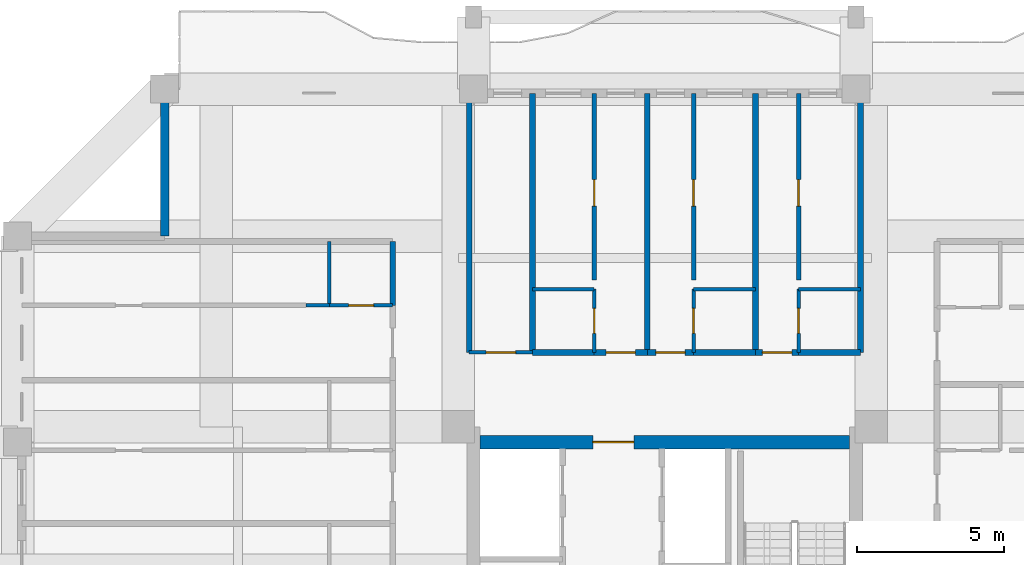
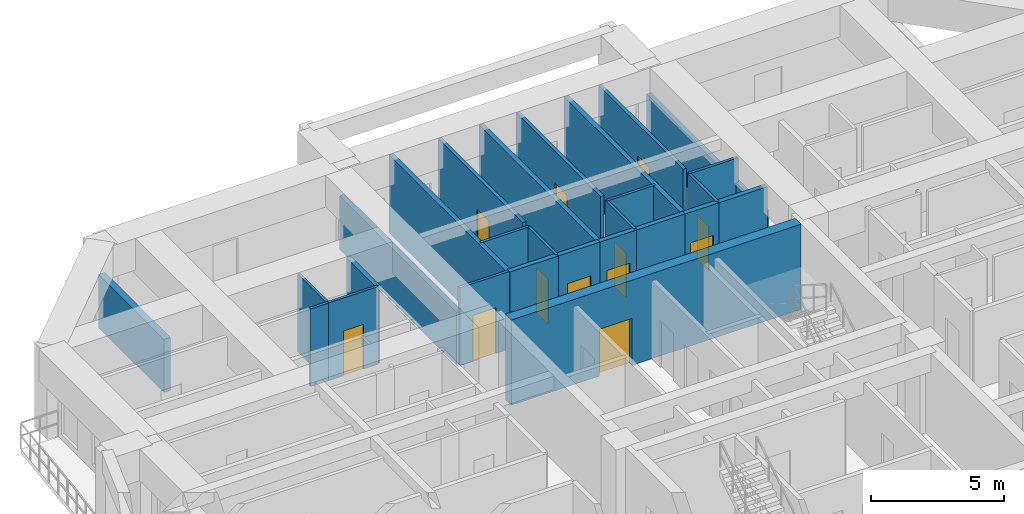
# One storey, part 7 of 15: 27 walls, 12 doors, 12 openings.
"""IFC4 building model written with IfcOpenShell, lengths in metres."""

from ifc_helpers import new_model, si_unit, direction, frame, frame_2d, origin, place, context, subcontext, project, spatial, rectangle, extrude, source, transform, mapped, material, layer, layer_set, type_object, element, fill, save


model = new_model("IFC4")

# Units and contexts
model_context = context("Model", 3, precision=1e-05, world=origin(), true_north=direction((0.0, 1.0)))
body_context = subcontext(model_context, "Body", "Model", "MODEL_VIEW")
ifc_project = project(units=[si_unit("LENGTHUNIT", "METRE"), si_unit("AREAUNIT", "SQUARE_METRE"), si_unit("VOLUMEUNIT", "CUBIC_METRE"), si_unit("PLANEANGLEUNIT", "RADIAN"), si_unit("MASSUNIT", "GRAM", prefix="KILO")], contexts=[model_context])

# Site, building, storey
site_placement = place(None, origin())
site = spatial("IfcSite", under=ifc_project, at=site_placement, CompositionType="ELEMENT")
building_placement = place(site_placement, origin())
building = spatial("IfcBuilding", under=site, at=building_placement, Name="Saelheon Loggia Tower", CompositionType="ELEMENT")
storey_placement = place(building_placement, frame((0.0, 0.0, 169.0)))
storey = spatial("IfcBuildingStorey", under=building, at=storey_placement, Name="L53", CompositionType="ELEMENT", Elevation=169.0)

# Wall, opening, door
ifc_material_1 = material(Name="Concrete C45/55", Category="concrete")
ifc_layer_1 = layer(ifc_material_1, 0.449951171875)
ifc_layer_set_1 = layer_set([ifc_layer_1], Name="Concrete C45/55")
wall_type_1 = type_object("IfcWallType", Name="Wall_CoreShear_450", PredefinedType="SHEAR", material=ifc_layer_set_1)
wall_1_placement = place(storey_placement, frame((31.72509765625, 36.0, 0.0), z_axis=(0.0, 0.0, 1.0), x_axis=(1.0, 0.0, 0.0)))
wall_1 = element("IfcWall", 1, at=wall_1_placement, inside=storey, type_object=wall_type_1, Name="L53 Core Shear Wall North", PredefinedType="SHEAR", context=body_context, shape_type="SweptSolid", body=[
    extrude(rectangle(XDim=12.5498046875, YDim=0.449951171875, at=frame_2d((6.27490234375, 0.0))), origin(), (0.0, 0.0, 1.0), 3.89990234375),
])
opening_1_placement = place(wall_1_placement, frame((5.224853515625, 0.0, 0.0), z_axis=(0.0, 0.0, 1.0), x_axis=(-1.0, 0.0, 0.0)))
opening_1 = element("IfcOpeningElement", 2, at=opening_1_placement, cuts=wall_1, Name="Opening D-FD2L", PredefinedType="OPENING", context=body_context, shape_type="SweptSolid", body=[
    extrude(rectangle(XDim=1.39990234375, YDim=2.14990234375, at=frame_2d((0.699951171875, 1.074951171875))), frame((0.0, 0.237060546875, 0.0), z_axis=(0.0, -1.0, 0.0), x_axis=(1.0, 0.0, 0.0)), (0.0, 0.0, 1.0), 0.473876953125),
])
ifc_material_2 = material(Name="Galvanised Steel Glazed Lobby Fire Door", Category="steel")
door_type_1 = type_object("IfcDoorType", Name="Door_Fire_FD60_1400", OperationType="NOTDEFINED", PredefinedType="DOOR", material=ifc_material_2)
shared_shape_1 = source(origin(), body_context, "Body", "SweptSolid", [
    extrude(rectangle(XDim=1.39990234375, YDim=2.14990234375, at=frame_2d((0.699951171875, 1.074951171875))), frame((0.0, 0.02490234375, 0.0), z_axis=(0.0, -1.0, 0.0), x_axis=(1.0, 0.0, 0.0)), (0.0, 0.0, 1.0), 0.050048828125),
])
door_1_placement = place(opening_1_placement, origin())
door_1 = element("IfcDoor", 3, at=door_1_placement, inside=storey, type_object=door_type_1, Name="L53 Passenger Lift Lobby Main Door", OperationType="SINGLE_SWING_RIGHT", OverallHeight=2.14990234375, OverallWidth=1.39990234375, PredefinedType="DOOR", context=body_context, shape_type="MappedRepresentation", body=[
    mapped(shared_shape_1, transform((0.0, 0.0, 0.0), scale=1.0)),
])
fill(opening_1, door_1)

# Wall
ifc_material_3 = material(Name="Architectural Precast Concrete C40/50", Category="concrete")
ifc_layer_2 = layer(ifc_material_3, 0.280029296875)
ifc_layer_set_2 = layer_set([ifc_layer_2], Name="Architectural Precast Concrete C40/50")
wall_type_2 = type_object("IfcWallType", Name="Wall_Ext_Loggia_280", PredefinedType="SOLIDWALL", material=ifc_layer_set_2)
wall_2_placement = place(storey_placement, frame((21.0, 43.0, 0.0), z_axis=(0.0, 0.0, 1.0), x_axis=(0.0, 1.0, 0.0)))
element("IfcWall", 4, at=wall_2_placement, inside=storey, type_object=wall_type_2, Name="L53 Corner Notch Precast Wall NW1", PredefinedType="SOLIDWALL", context=body_context, shape_type="SweptSolid", body=[
    extrude(rectangle(XDim=4.919921875, YDim=0.280029296875, at=frame_2d((2.4599609375, 0.0))), origin(), (0.0, 0.0, 1.0), 2.43994140625),
])

# Wall, opening, door
ifc_material_4 = material(Name="Lightweight Autoclaved Aerated Concrete Block and Acoustic Gypsum", Category="concrete")
ifc_layer_3 = layer(ifc_material_4, 0.14990234375)
ifc_layer_set_3 = layer_set([ifc_layer_3], Name="Lightweight Autoclaved Aerated Concrete Block and Acoustic Gypsum")
wall_type_3 = type_object("IfcWallType", Name="Wall_Part_150", PredefinedType="PARTITIONING", material=ifc_layer_set_3)
wall_3_placement = place(storey_placement, frame((35.60009765625, 41.510009765625, 0.0), z_axis=(0.0, 0.0, 1.0), x_axis=(0.0, 1.0, 0.0)))
wall_3 = element("IfcWall", 5, at=wall_3_placement, inside=storey, type_object=wall_type_3, Name="L53 N Partition U09", PredefinedType="PARTITIONING", context=body_context, shape_type="SweptSolid", body=[
    extrude(rectangle(XDim=6.340087890625, YDim=0.14990234375, at=frame_2d((3.169921875, 0.0))), origin(), (0.0, 0.0, 1.0), 3.56005859375),
])
opening_2_placement = place(wall_3_placement, frame((2.51318359375, 0.0, 0.0)))
opening_2 = element("IfcOpeningElement", 6, at=opening_2_placement, cuts=wall_3, Name="Opening D-IN2", PredefinedType="OPENING", context=body_context, shape_type="SweptSolid", body=[
    extrude(rectangle(XDim=0.89990234375, YDim=2.10009765625, at=frame_2d((0.449951171875, 1.050048828125))), frame((0.0, 0.0869140625, 0.0), z_axis=(0.0, -1.0, 0.0), x_axis=(1.0, 0.0, 0.0)), (0.0, 0.0, 1.0), 0.173828125),
])
ifc_material_5 = material(Name="Engineered Oak Flush Door", Category="timber")
door_type_2 = type_object("IfcDoorType", Name="Door_Int_900", OperationType="NOTDEFINED", PredefinedType="DOOR", material=ifc_material_5)
shared_shape_2 = source(origin(), body_context, "Body", "SweptSolid", [
    extrude(rectangle(XDim=0.89990234375, YDim=2.10009765625, at=frame_2d((0.449951171875, 1.050048828125))), frame((0.0, 0.02490234375, 0.0), z_axis=(0.0, -1.0, 0.0), x_axis=(1.0, 0.0, 0.0)), (0.0, 0.0, 1.0), 0.050048828125),
])
door_2_placement = place(opening_2_placement, origin())
door_2 = element("IfcDoor", 7, at=door_2_placement, inside=storey, type_object=door_type_2, Name="Unit U04 Kitchen Door", OperationType="SINGLE_SWING_RIGHT", OverallHeight=2.10009765625, OverallWidth=0.89990234375, PredefinedType="DOOR", context=body_context, shape_type="MappedRepresentation", body=[
    mapped(shared_shape_2, transform((0.0, 0.0, 0.0), scale=1.0)),
])
fill(opening_2, door_2)

wall_4_placement = place(storey_placement, frame((38.98193359375, 41.510009765625, 0.0), z_axis=(0.0, 0.0, 1.0), x_axis=(0.0, 1.0, 0.0)))
wall_4 = element("IfcWall", 8, at=wall_4_placement, inside=storey, type_object=wall_type_3, Name="L53 N Partition U15", PredefinedType="PARTITIONING", context=body_context, shape_type="SweptSolid", body=[
    extrude(rectangle(XDim=6.340087890625, YDim=0.14990234375, at=frame_2d((3.169921875, 0.0))), origin(), (0.0, 0.0, 1.0), 3.56005859375),
])
opening_3_placement = place(wall_4_placement, frame((2.51318359375, 0.0, 0.0)))
opening_3 = element("IfcOpeningElement", 9, at=opening_3_placement, cuts=wall_4, Name="Opening D-IN2", PredefinedType="OPENING", context=body_context, shape_type="SweptSolid", body=[
    extrude(rectangle(XDim=0.89990234375, YDim=2.10009765625, at=frame_2d((0.449951171875, 1.050048828125))), frame((0.0, 0.0869140625, 0.0), z_axis=(0.0, -1.0, 0.0), x_axis=(1.0, 0.0, 0.0)), (0.0, 0.0, 1.0), 0.173828125),
])
door_3_placement = place(opening_3_placement, origin())
door_3 = element("IfcDoor", 10, at=door_3_placement, inside=storey, type_object=door_type_2, Name="Unit U05 Kitchen Door", OperationType="SINGLE_SWING_LEFT", OverallHeight=2.10009765625, OverallWidth=0.89990234375, PredefinedType="DOOR", context=body_context, shape_type="MappedRepresentation", body=[
    mapped(shared_shape_2, transform((0.0, 0.0, 0.0), scale=1.0)),
])
fill(opening_3, door_3)

wall_5_placement = place(storey_placement, frame((42.550048828125, 41.510009765625, 0.0), z_axis=(0.0, 0.0, 1.0), x_axis=(0.0, 1.0, 0.0)))
wall_5 = element("IfcWall", 11, at=wall_5_placement, inside=storey, type_object=wall_type_3, Name="L53 N Partition U21", PredefinedType="PARTITIONING", context=body_context, shape_type="SweptSolid", body=[
    extrude(rectangle(XDim=6.340087890625, YDim=0.14990234375, at=frame_2d((3.169921875, 0.0))), origin(), (0.0, 0.0, 1.0), 3.56005859375),
])
opening_4_placement = place(wall_5_placement, frame((2.51318359375, 0.0, 0.0)))
opening_4 = element("IfcOpeningElement", 12, at=opening_4_placement, cuts=wall_5, Name="Opening D-IN2", PredefinedType="OPENING", context=body_context, shape_type="SweptSolid", body=[
    extrude(rectangle(XDim=0.89990234375, YDim=2.10009765625, at=frame_2d((0.449951171875, 1.050048828125))), frame((0.0, 0.0869140625, 0.0), z_axis=(0.0, -1.0, 0.0), x_axis=(1.0, 0.0, 0.0)), (0.0, 0.0, 1.0), 0.173828125),
])
door_4_placement = place(opening_4_placement, origin())
door_4 = element("IfcDoor", 13, at=door_4_placement, inside=storey, type_object=door_type_2, Name="Unit U06 Kitchen Door", OperationType="SINGLE_SWING_RIGHT", OverallHeight=2.10009765625, OverallWidth=0.89990234375, PredefinedType="DOOR", context=body_context, shape_type="MappedRepresentation", body=[
    mapped(shared_shape_2, transform((0.0, 0.0, 0.0), scale=1.0)),
])
fill(opening_4, door_4)

# Walls
ifc_material_6 = material(Name="Double Acoustic Stud and Fireboard Partition", Category="gypsum")
ifc_layer_4 = layer(ifc_material_6, 0.199951171875)
ifc_layer_set_4 = layer_set([ifc_layer_4], Name="Double Acoustic Stud and Fireboard Partition")
wall_type_4 = type_object("IfcWallType", Name="Wall_Party_200", PredefinedType="PARTITIONING", material=ifc_layer_set_4)
for number, where, z_axis, x_axis, name in (
    (14, (31.35009765625, 39.050048828125, 0.0), (0.0, 0.0, 1.0), (0.0, 1.0, 0.0), "L53 N Partition U01"),
    (15, (44.64990234375, 39.050048828125, 0.0), (0.0, 0.0, 1.0), (0.0, 1.0, 0.0), "L53 N Partition U02"),
):
    element("IfcWall", number, at=place(storey_placement, frame(where, z_axis=z_axis, x_axis=x_axis)), inside=storey, type_object=wall_type_4, Name=name, PredefinedType="PARTITIONING", context=body_context, shape_type="SweptSolid", body=[
        extrude(rectangle(XDim=8.800048828125, YDim=0.199951171875, at=frame_2d((4.39990234375, 0.0))), origin(), (0.0, 0.0, 1.0), 2.43994140625),
    ])
wall_6_placement = place(storey_placement, frame((33.5, 39.050048828125, 0.0), z_axis=(0.0, 0.0, 1.0), x_axis=(0.0, 1.0, 0.0)))
element("IfcWall", 16, at=wall_6_placement, inside=storey, type_object=wall_type_4, Name="L53 N Partition U03", PredefinedType="PARTITIONING", context=body_context, shape_type="SweptSolid", body=[
    extrude(rectangle(XDim=8.800048828125, YDim=0.199951171875, at=frame_2d((4.39990234375, 0.0))), origin(), (0.0, 0.0, 1.0), 3.56005859375),
])
wall_7_placement = place(storey_placement, frame((33.5, 39.050048828125, 0.0), z_axis=(0.0, 0.0, 1.0), x_axis=(1.0, 0.0, 0.0)))
element("IfcWall", 17, at=wall_7_placement, inside=storey, type_object=wall_type_4, Name="L53 N Partition V05", PredefinedType="PARTITIONING", context=body_context, shape_type="SweptSolid", body=[
    extrude(rectangle(XDim=2.10009765625, YDim=0.199951171875, at=frame_2d((1.050048828125, 0.0))), origin(), (0.0, 0.0, 1.0), 3.56005859375),
])

# Wall, opening, door
wall_8_placement = place(storey_placement, frame((35.60009765625, 39.050048828125, 0.0), z_axis=(0.0, 0.0, 1.0), x_axis=(1.0, 0.0, 0.0)))
wall_8 = element("IfcWall", 18, at=wall_8_placement, inside=storey, type_object=wall_type_4, Name="L53 N Partition V06", PredefinedType="PARTITIONING", context=body_context, shape_type="SweptSolid", body=[
    extrude(rectangle(XDim=1.802490234375, YDim=0.199951171875, at=frame_2d((0.9013671875, 0.0))), origin(), (0.0, 0.0, 1.0), 3.56005859375),
])
opening_5_placement = place(wall_8_placement, frame((0.4013671875, 0.0, 0.0)))
opening_5 = element("IfcOpeningElement", 19, at=opening_5_placement, cuts=wall_8, Name="Opening D-FD1", PredefinedType="OPENING", context=body_context, shape_type="SweptSolid", body=[
    extrude(rectangle(XDim=1.0, YDim=2.14990234375, at=frame_2d((0.5, 1.074951171875))), frame((0.0, 0.112060546875, 0.0), z_axis=(0.0, -1.0, 0.0), x_axis=(1.0, 0.0, 0.0)), (0.0, 0.0, 1.0), 0.223876953125),
])
ifc_material_7 = material(Name="Fire-Rated Engineered Timber Entrance Door", Category="wood")
door_type_3 = type_object("IfcDoorType", Name="Door_Flat_FD30S", OperationType="NOTDEFINED", PredefinedType="DOOR", material=ifc_material_7)
shared_shape_3 = source(origin(), body_context, "Body", "SweptSolid", [
    extrude(rectangle(XDim=1.0, YDim=2.14990234375, at=frame_2d((0.5, 1.074951171875))), frame((0.0, 0.02490234375, 0.0), z_axis=(0.0, -1.0, 0.0), x_axis=(1.0, 0.0, 0.0)), (0.0, 0.0, 1.0), 0.050048828125),
])
door_5_placement = place(opening_5_placement, origin())
door_5 = element("IfcDoor", 20, at=door_5_placement, inside=storey, type_object=door_type_3, Name="Unit U04 Entrance Door", OperationType="SINGLE_SWING_RIGHT", OverallHeight=2.14990234375, OverallWidth=1.0, PredefinedType="DOOR", context=body_context, shape_type="MappedRepresentation", body=[
    mapped(shared_shape_3, transform((0.0, 0.0, 0.0), scale=1.0)),
])
fill(opening_5, door_5)

# Wall
wall_9_placement = place(storey_placement, frame((37.402587890625, 39.050048828125, 0.0), z_axis=(0.0, 0.0, 1.0), x_axis=(0.0, 1.0, 0.0)))
element("IfcWall", 21, at=wall_9_placement, inside=storey, type_object=wall_type_4, Name="L53 N Partition U10", PredefinedType="PARTITIONING", context=body_context, shape_type="SweptSolid", body=[
    extrude(rectangle(XDim=8.800048828125, YDim=0.199951171875, at=frame_2d((4.39990234375, 0.0))), origin(), (0.0, 0.0, 1.0), 3.56005859375),
])

# Wall, opening, door
wall_10_placement = place(storey_placement, frame((37.402587890625, 39.050048828125, 0.0), z_axis=(0.0, 0.0, 1.0), x_axis=(1.0, 0.0, 0.0)))
wall_10 = element("IfcWall", 22, at=wall_10_placement, inside=storey, type_object=wall_type_4, Name="L53 N Partition V11", PredefinedType="PARTITIONING", context=body_context, shape_type="SweptSolid", body=[
    extrude(rectangle(XDim=1.579345703125, YDim=0.199951171875, at=frame_2d((0.78955078125, 0.0))), origin(), (0.0, 0.0, 1.0), 3.56005859375),
])
opening_6_placement = place(wall_10_placement, frame((0.289794921875, 0.0, 0.0)))
opening_6 = element("IfcOpeningElement", 23, at=opening_6_placement, cuts=wall_10, Name="Opening D-FD1", PredefinedType="OPENING", context=body_context, shape_type="SweptSolid", body=[
    extrude(rectangle(XDim=1.0, YDim=2.14990234375, at=frame_2d((0.5, 1.074951171875))), frame((0.0, 0.112060546875, 0.0), z_axis=(0.0, -1.0, 0.0), x_axis=(1.0, 0.0, 0.0)), (0.0, 0.0, 1.0), 0.223876953125),
])
door_6_placement = place(opening_6_placement, origin())
door_6 = element("IfcDoor", 24, at=door_6_placement, inside=storey, type_object=door_type_3, Name="Unit U05 Entrance Door", OperationType="SINGLE_SWING_LEFT", OverallHeight=2.14990234375, OverallWidth=1.0, PredefinedType="DOOR", context=body_context, shape_type="MappedRepresentation", body=[
    mapped(shared_shape_3, transform((0.0, 0.0, 0.0), scale=1.0)),
])
fill(opening_6, door_6)

# Walls
wall_11_placement = place(storey_placement, frame((38.98193359375, 39.050048828125, 0.0), z_axis=(0.0, 0.0, 1.0), x_axis=(1.0, 0.0, 0.0)))
element("IfcWall", 25, at=wall_11_placement, inside=storey, type_object=wall_type_4, Name="L53 N Partition V12", PredefinedType="PARTITIONING", context=body_context, shape_type="SweptSolid", body=[
    extrude(rectangle(XDim=2.10009765625, YDim=0.199951171875, at=frame_2d((1.050048828125, 0.0))), origin(), (0.0, 0.0, 1.0), 3.56005859375),
])
wall_12_placement = place(storey_placement, frame((41.08203125, 39.050048828125, 0.0), z_axis=(0.0, 0.0, 1.0), x_axis=(0.0, 1.0, 0.0)))
element("IfcWall", 26, at=wall_12_placement, inside=storey, type_object=wall_type_4, Name="L53 N Partition U16", PredefinedType="PARTITIONING", context=body_context, shape_type="SweptSolid", body=[
    extrude(rectangle(XDim=8.800048828125, YDim=0.199951171875, at=frame_2d((4.39990234375, 0.0))), origin(), (0.0, 0.0, 1.0), 3.56005859375),
])

# Wall, opening, door
wall_13_placement = place(storey_placement, frame((41.08203125, 39.050048828125, 0.0), z_axis=(0.0, 0.0, 1.0), x_axis=(1.0, 0.0, 0.0)))
wall_13 = element("IfcWall", 27, at=wall_13_placement, inside=storey, type_object=wall_type_4, Name="L53 N Partition V17", PredefinedType="PARTITIONING", context=body_context, shape_type="SweptSolid", body=[
    extrude(rectangle(XDim=1.468017578125, YDim=0.199951171875, at=frame_2d((0.73388671875, 0.0))), origin(), (0.0, 0.0, 1.0), 3.56005859375),
])
opening_7_placement = place(wall_13_placement, frame((0.23388671875, 0.0, 0.0)))
opening_7 = element("IfcOpeningElement", 28, at=opening_7_placement, cuts=wall_13, Name="Opening D-FD1", PredefinedType="OPENING", context=body_context, shape_type="SweptSolid", body=[
    extrude(rectangle(XDim=1.0, YDim=2.14990234375, at=frame_2d((0.5, 1.074951171875))), frame((0.0, 0.112060546875, 0.0), z_axis=(0.0, -1.0, 0.0), x_axis=(1.0, 0.0, 0.0)), (0.0, 0.0, 1.0), 0.223876953125),
])
door_7_placement = place(opening_7_placement, origin())
door_7 = element("IfcDoor", 29, at=door_7_placement, inside=storey, type_object=door_type_3, Name="Unit U06 Entrance Door", OperationType="SINGLE_SWING_RIGHT", OverallHeight=2.14990234375, OverallWidth=1.0, PredefinedType="DOOR", context=body_context, shape_type="MappedRepresentation", body=[
    mapped(shared_shape_3, transform((0.0, 0.0, 0.0), scale=1.0)),
])
fill(opening_7, door_7)

# Walls
wall_14_placement = place(storey_placement, frame((42.550048828125, 39.050048828125, 0.0), z_axis=(0.0, 0.0, 1.0), x_axis=(1.0, 0.0, 0.0)))
element("IfcWall", 30, at=wall_14_placement, inside=storey, type_object=wall_type_4, Name="L53 N Partition V18", PredefinedType="PARTITIONING", context=body_context, shape_type="SweptSolid", body=[
    extrude(rectangle(XDim=2.099853515625, YDim=0.199951171875, at=frame_2d((1.0498046875, 0.0))), origin(), (0.0, 0.0, 1.0), 3.56005859375),
])
wall_15_placement = place(storey_placement, frame((28.75, 40.650390625, 0.0), z_axis=(0.0, 0.0, 1.0), x_axis=(0.0, 1.0, 0.0)))
element("IfcWall", 31, at=wall_15_placement, inside=storey, type_object=wall_type_4, Name="L53 WN Partition V18", PredefinedType="PARTITIONING", context=body_context, shape_type="SweptSolid", body=[
    extrude(rectangle(XDim=2.169677734375, YDim=0.199951171875, at=frame_2d((1.0849609375, 0.0))), origin(), (0.0, 0.0, 1.0), 3.56005859375),
])

# Wall, opening, door
ifc_material_8 = material(Name="Moisture-Resistant Cement Board Partition", Category="gypsum")
ifc_layer_5 = layer(ifc_material_8, 0.1201171875)
ifc_layer_set_5 = layer_set([ifc_layer_5], Name="Moisture-Resistant Cement Board Partition")
wall_type_5 = type_object("IfcWallType", Name="Wall_WetPart_120", PredefinedType="PARTITIONING", material=ifc_layer_set_5)
wall_16_placement = place(storey_placement, frame((31.35009765625, 39.050048828125, 0.0), z_axis=(0.0, 0.0, 1.0), x_axis=(1.0, 0.0, 0.0)))
wall_16 = element("IfcWall", 32, at=wall_16_placement, inside=storey, type_object=wall_type_5, Name="L53 N Partition V04", PredefinedType="PARTITIONING", context=body_context, shape_type="SweptSolid", body=[
    extrude(rectangle(XDim=2.14990234375, YDim=0.1201171875, at=frame_2d((1.074951171875, 0.0))), origin(), (0.0, 0.0, 1.0), 3.56005859375),
])
opening_8_placement = place(wall_16_placement, frame((0.574951171875, 0.0, 0.0)))
opening_8 = element("IfcOpeningElement", 33, at=opening_8_placement, cuts=wall_16, Name="Opening D-AC1", PredefinedType="OPENING", context=body_context, shape_type="SweptSolid", body=[
    extrude(rectangle(XDim=1.0, YDim=2.10009765625, at=frame_2d((0.5, 1.050048828125))), frame((0.0, 0.072021484375, 0.0), z_axis=(0.0, -1.0, 0.0), x_axis=(1.0, 0.0, 0.0)), (0.0, 0.0, 1.0), 0.14404296875),
])
ifc_material_9 = material(Name="Accessible Laminate Flush Door", Category="timber")
door_type_4 = type_object("IfcDoorType", Name="Door_Acc_1000", OperationType="NOTDEFINED", PredefinedType="DOOR", material=ifc_material_9)
shared_shape_4 = source(origin(), body_context, "Body", "SweptSolid", [
    extrude(rectangle(XDim=1.0, YDim=2.10009765625, at=frame_2d((0.5, 1.050048828125))), frame((0.0, 0.02490234375, 0.0), z_axis=(0.0, -1.0, 0.0), x_axis=(1.0, 0.0, 0.0)), (0.0, 0.0, 1.0), 0.050048828125),
])
door_8_placement = place(opening_8_placement, origin())
door_8 = element("IfcDoor", 34, at=door_8_placement, inside=storey, type_object=door_type_4, Name="L53 Floor Accessible WC Door", OperationType="SINGLE_SWING_LEFT", OverallHeight=2.10009765625, OverallWidth=1.0, PredefinedType="DOOR", context=body_context, shape_type="MappedRepresentation", body=[
    mapped(shared_shape_4, transform((0.0, 0.0, 0.0), scale=1.0)),
])
fill(opening_8, door_8)

wall_17_placement = place(storey_placement, frame((35.60009765625, 39.050048828125, 0.0), z_axis=(0.0, 0.0, 1.0), x_axis=(0.0, 1.0, 0.0)))
wall_17 = element("IfcWall", 35, at=wall_17_placement, inside=storey, type_object=wall_type_5, Name="L53 N Partition U07", PredefinedType="PARTITIONING", context=body_context, shape_type="SweptSolid", body=[
    extrude(rectangle(XDim=2.14990234375, YDim=0.1201171875, at=frame_2d((1.074951171875, 0.0))), origin(), (0.0, 0.0, 1.0), 3.56005859375),
])
opening_9_placement = place(wall_17_placement, frame((0.64990234375, 0.0, 0.0)))
opening_9 = element("IfcOpeningElement", 36, at=opening_9_placement, cuts=wall_17, Name="Opening D-BT1", PredefinedType="OPENING", context=body_context, shape_type="SweptSolid", body=[
    extrude(rectangle(XDim=0.85009765625, YDim=2.050048828125, at=frame_2d((0.425048828125, 1.02490234375))), frame((0.0, 0.072021484375, 0.0), z_axis=(0.0, -1.0, 0.0), x_axis=(1.0, 0.0, 0.0)), (0.0, 0.0, 1.0), 0.14404296875),
])
ifc_material_10 = material(Name="Moisture-Resistant Laminate Timber Door", Category="wood")
door_type_5 = type_object("IfcDoorType", Name="Door_Bath_850", OperationType="NOTDEFINED", PredefinedType="DOOR", material=ifc_material_10)
shared_shape_5 = source(origin(), body_context, "Body", "SweptSolid", [
    extrude(rectangle(XDim=0.85009765625, YDim=2.050048828125, at=frame_2d((0.425048828125, 1.02490234375))), frame((0.0, 0.02490234375, 0.0), z_axis=(0.0, -1.0, 0.0), x_axis=(1.0, 0.0, 0.0)), (0.0, 0.0, 1.0), 0.050048828125),
])
door_9_placement = place(opening_9_placement, origin())
door_9 = element("IfcDoor", 37, at=door_9_placement, inside=storey, type_object=door_type_5, Name="Unit U04 Bathroom Door", OperationType="SINGLE_SWING_LEFT", OverallHeight=2.050048828125, OverallWidth=0.85009765625, PredefinedType="DOOR", context=body_context, shape_type="MappedRepresentation", body=[
    mapped(shared_shape_5, transform((0.0, 0.0, 0.0), scale=1.0)),
])
fill(opening_9, door_9)

# Wall
wall_18_placement = place(storey_placement, frame((33.5, 41.199951171875, 0.0), z_axis=(0.0, 0.0, 1.0), x_axis=(1.0, 0.0, 0.0)))
element("IfcWall", 38, at=wall_18_placement, inside=storey, type_object=wall_type_5, Name="L53 N Partition V08", PredefinedType="PARTITIONING", context=body_context, shape_type="SweptSolid", body=[
    extrude(rectangle(XDim=2.10009765625, YDim=0.1201171875, at=frame_2d((1.050048828125, 0.0))), origin(), (0.0, 0.0, 1.0), 3.56005859375),
])

# Wall, opening, door
wall_19_placement = place(storey_placement, frame((38.98193359375, 39.050048828125, 0.0), z_axis=(0.0, 0.0, 1.0), x_axis=(0.0, 1.0, 0.0)))
wall_19 = element("IfcWall", 39, at=wall_19_placement, inside=storey, type_object=wall_type_5, Name="L53 N Partition U13", PredefinedType="PARTITIONING", context=body_context, shape_type="SweptSolid", body=[
    extrude(rectangle(XDim=2.14990234375, YDim=0.1201171875, at=frame_2d((1.074951171875, 0.0))), origin(), (0.0, 0.0, 1.0), 3.56005859375),
])
opening_10_placement = place(wall_19_placement, frame((0.64990234375, 0.0, 0.0)))
opening_10 = element("IfcOpeningElement", 40, at=opening_10_placement, cuts=wall_19, Name="Opening D-BT1", PredefinedType="OPENING", context=body_context, shape_type="SweptSolid", body=[
    extrude(rectangle(XDim=0.85009765625, YDim=2.050048828125, at=frame_2d((0.425048828125, 1.02490234375))), frame((0.0, 0.072021484375, 0.0), z_axis=(0.0, -1.0, 0.0), x_axis=(1.0, 0.0, 0.0)), (0.0, 0.0, 1.0), 0.14404296875),
])
door_10_placement = place(opening_10_placement, origin())
door_10 = element("IfcDoor", 41, at=door_10_placement, inside=storey, type_object=door_type_5, Name="Unit U05 Bathroom Door", OperationType="SINGLE_SWING_RIGHT", OverallHeight=2.050048828125, OverallWidth=0.85009765625, PredefinedType="DOOR", context=body_context, shape_type="MappedRepresentation", body=[
    mapped(shared_shape_5, transform((0.0, 0.0, 0.0), scale=1.0)),
])
fill(opening_10, door_10)

# Wall
wall_20_placement = place(storey_placement, frame((38.98193359375, 41.199951171875, 0.0), z_axis=(0.0, 0.0, 1.0), x_axis=(1.0, 0.0, 0.0)))
element("IfcWall", 42, at=wall_20_placement, inside=storey, type_object=wall_type_5, Name="L53 N Partition V14", PredefinedType="PARTITIONING", context=body_context, shape_type="SweptSolid", body=[
    extrude(rectangle(XDim=2.10009765625, YDim=0.1201171875, at=frame_2d((1.050048828125, 0.0))), origin(), (0.0, 0.0, 1.0), 3.56005859375),
])

# Wall, opening, door
wall_21_placement = place(storey_placement, frame((42.550048828125, 39.050048828125, 0.0), z_axis=(0.0, 0.0, 1.0), x_axis=(0.0, 1.0, 0.0)))
wall_21 = element("IfcWall", 43, at=wall_21_placement, inside=storey, type_object=wall_type_5, Name="L53 N Partition U19", PredefinedType="PARTITIONING", context=body_context, shape_type="SweptSolid", body=[
    extrude(rectangle(XDim=2.14990234375, YDim=0.1201171875, at=frame_2d((1.074951171875, 0.0))), origin(), (0.0, 0.0, 1.0), 3.56005859375),
])
opening_11_placement = place(wall_21_placement, frame((0.64990234375, 0.0, 0.0)))
opening_11 = element("IfcOpeningElement", 44, at=opening_11_placement, cuts=wall_21, Name="Opening D-BT1", PredefinedType="OPENING", context=body_context, shape_type="SweptSolid", body=[
    extrude(rectangle(XDim=0.85009765625, YDim=2.050048828125, at=frame_2d((0.425048828125, 1.02490234375))), frame((0.0, 0.072021484375, 0.0), z_axis=(0.0, -1.0, 0.0), x_axis=(1.0, 0.0, 0.0)), (0.0, 0.0, 1.0), 0.14404296875),
])
door_11_placement = place(opening_11_placement, origin())
door_11 = element("IfcDoor", 45, at=door_11_placement, inside=storey, type_object=door_type_5, Name="Unit U06 Bathroom Door", OperationType="SINGLE_SWING_LEFT", OverallHeight=2.050048828125, OverallWidth=0.85009765625, PredefinedType="DOOR", context=body_context, shape_type="MappedRepresentation", body=[
    mapped(shared_shape_5, transform((0.0, 0.0, 0.0), scale=1.0)),
])
fill(opening_11, door_11)

# Wall
wall_22_placement = place(storey_placement, frame((42.550048828125, 41.199951171875, 0.0), z_axis=(0.0, 0.0, 1.0), x_axis=(1.0, 0.0, 0.0)))
element("IfcWall", 46, at=wall_22_placement, inside=storey, type_object=wall_type_5, Name="L53 N Partition V20", PredefinedType="PARTITIONING", context=body_context, shape_type="SweptSolid", body=[
    extrude(rectangle(XDim=2.099853515625, YDim=0.1201171875, at=frame_2d((1.0498046875, 0.0))), origin(), (0.0, 0.0, 1.0), 3.56005859375),
])

# Wall, opening, door
wall_23_placement = place(storey_placement, frame((28.75, 40.650390625, 0.0), z_axis=(0.0, 0.0, 1.0), x_axis=(-1.0, 0.0, 0.0)))
wall_23 = element("IfcWall", 47, at=wall_23_placement, inside=storey, type_object=wall_type_5, Name="L53 WN Partition U19", PredefinedType="PARTITIONING", context=body_context, shape_type="SweptSolid", body=[
    extrude(rectangle(XDim=2.14990234375, YDim=0.1201171875, at=frame_2d((1.074951171875, 0.0))), origin(), (0.0, 0.0, 1.0), 3.56005859375),
])
opening_12_placement = place(wall_23_placement, frame((0.64990234375, 0.0, 0.0)))
opening_12 = element("IfcOpeningElement", 48, at=opening_12_placement, cuts=wall_23, Name="Opening D-BT1", PredefinedType="OPENING", context=body_context, shape_type="SweptSolid", body=[
    extrude(rectangle(XDim=0.85009765625, YDim=2.050048828125, at=frame_2d((0.425048828125, 1.02490234375))), frame((0.0, 0.072021484375, 0.0), z_axis=(0.0, -1.0, 0.0), x_axis=(1.0, 0.0, 0.0)), (0.0, 0.0, 1.0), 0.14404296875),
])
door_12_placement = place(opening_12_placement, origin())
door_12 = element("IfcDoor", 49, at=door_12_placement, inside=storey, type_object=door_type_5, Name="Unit U12 Bathroom Door", OperationType="SINGLE_SWING_LEFT", OverallHeight=2.050048828125, OverallWidth=0.85009765625, PredefinedType="DOOR", context=body_context, shape_type="MappedRepresentation", body=[
    mapped(shared_shape_5, transform((0.0, 0.0, 0.0), scale=1.0)),
])
fill(opening_12, door_12)

# Walls
wall_24_placement = place(storey_placement, frame((26.60009765625, 40.650390625, 0.0), z_axis=(0.0, 0.0, 1.0), x_axis=(-1.0, 0.0, 0.0)))
element("IfcWall", 50, at=wall_24_placement, inside=storey, type_object=wall_type_5, Name="L53 WN Partition U20", PredefinedType="PARTITIONING", context=body_context, shape_type="SweptSolid", body=[
    extrude(rectangle(XDim=0.7900390625, YDim=0.1201171875, at=frame_2d((0.39501953125, 0.0))), origin(), (0.0, 0.0, 1.0), 3.56005859375),
])
wall_25_placement = place(storey_placement, frame((26.60009765625, 40.650390625, 0.0), z_axis=(0.0, 0.0, 1.0), x_axis=(0.0, 1.0, 0.0)))
element("IfcWall", 51, at=wall_25_placement, inside=storey, type_object=wall_type_5, Name="L53 WN Partition V21", PredefinedType="PARTITIONING", context=body_context, shape_type="SweptSolid", body=[
    extrude(rectangle(XDim=2.169677734375, YDim=0.1201171875, at=frame_2d((1.0849609375, 0.0))), origin(), (0.0, 0.0, 1.0), 3.56005859375),
])

save(model, "model.ifc")
